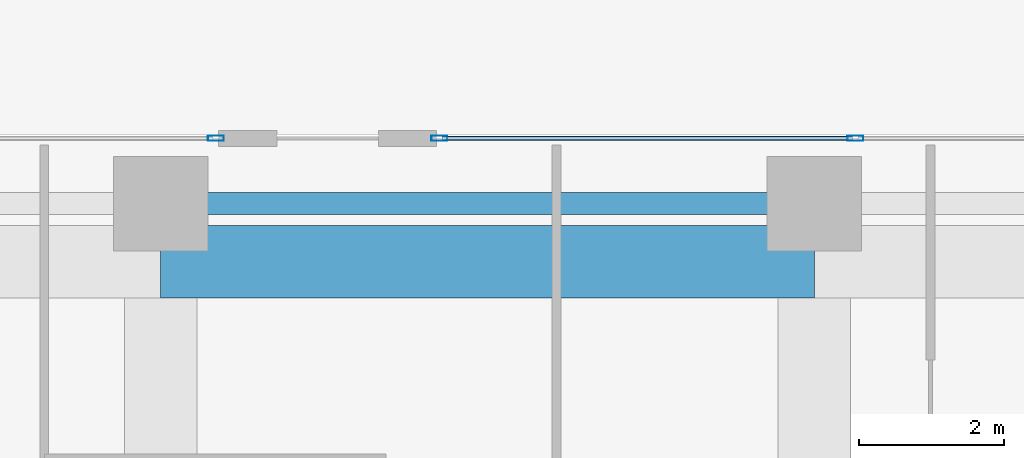
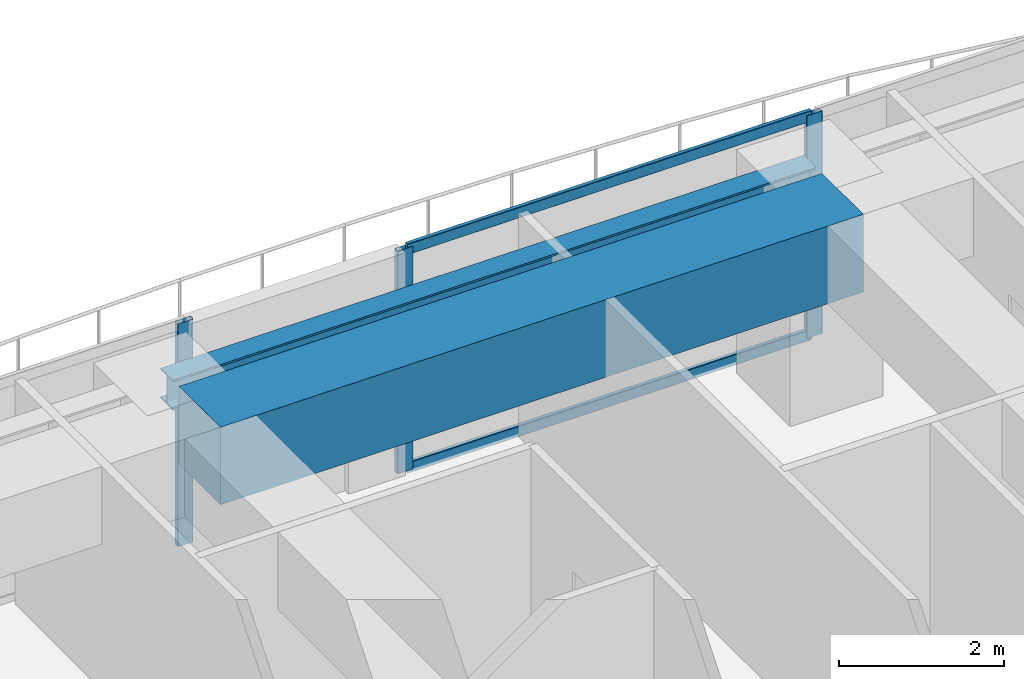
# One storey, part 18 of 32: 5 members, 2 beams, 2 elements without a shape of their own.
"""IFC4 building model written with IfcOpenShell, lengths in metres."""

from ifc_helpers import new_model, si_unit, direction, frame, origin, origin_2d, place, context, subcontext, project, spatial, rectangle, hollow_rectangle, i_section, extrude, source, transform, mapped, material, layer, layer_set, material_profile, profile_set, type_object, element, aggregate, save


model = new_model("IFC4")

# Units and contexts
model_context = context("Model", 3, precision=1e-05, world=origin(), true_north=direction((0.0, 1.0)))
body_context = subcontext(model_context, "Body", "Model", "MODEL_VIEW")
ifc_project = project(units=[si_unit("LENGTHUNIT", "METRE"), si_unit("AREAUNIT", "SQUARE_METRE"), si_unit("VOLUMEUNIT", "CUBIC_METRE"), si_unit("PLANEANGLEUNIT", "RADIAN"), si_unit("MASSUNIT", "GRAM", prefix="KILO")], contexts=[model_context])

# Site, building, storey
site_placement = place(None, origin())
site = spatial("IfcSite", under=ifc_project, at=site_placement, CompositionType="ELEMENT")
building_placement = place(site_placement, origin())
building = spatial("IfcBuilding", under=site, at=building_placement, Name="Serunith Strait Residences", CompositionType="ELEMENT")
storey_placement = place(building_placement, frame((0.0, 0.0, 195.14990234375)))
storey = spatial("IfcBuildingStorey", under=building, at=storey_placement, Name="L49", CompositionType="ELEMENT", Elevation=195.14990234375)

# Beams
ifc_material_1 = material(Name="Steel S355J2", Category="steel")
ifc_material_profile_1 = material_profile(ifc_material_1, i_section(OverallWidth=0.300048828125, OverallDepth=0.449951171875, WebThickness=0.013916015625, FlangeThickness=0.02587890625, FilletRadius=0.027099609375, at=origin_2d()), Name="HEB 450")
ifc_profile_set_1 = profile_set([ifc_material_profile_1], Name="Steel S355J2")
beam_type_1 = type_object("IfcBeamType", Name="BM-HEB450", PredefinedType="BEAM", material=ifc_profile_set_1)
shared_shape_1 = source(origin(), body_context, "Body", "SweptSolid", [
    extrude(i_section(OverallWidth=0.300048828125, OverallDepth=0.449951171875, WebThickness=0.013916015625, FlangeThickness=0.02587890625, FilletRadius=0.027099609375, at=origin_2d()), origin(), (0.0, 0.0, 1.0), 9.0),
])
beam_1_placement = place(storey_placement, frame((36.89990234375, 48.10009765625, 3.08203125), z_axis=(-1.0, 0.0, 0.0), x_axis=(0.0, -1.0, 0.0)))
element("IfcBeam", 1, at=beam_1_placement, inside=storey, type_object=beam_type_1, Name="L49 Perimeter Ring Beam 10", PredefinedType="BEAM", context=body_context, shape_type="MappedRepresentation", body=[
    mapped(shared_shape_1, transform((0.0, 0.0, 0.0), scale=1.0)),
])
ifc_material_2 = material(Name="Concrete C80/95", Category="concrete")
ifc_material_profile_2 = material_profile(ifc_material_2, rectangle(XDim=1.0, YDim=1.14990234375, at=origin_2d()), Name="RC 1000x1150")
ifc_profile_set_2 = profile_set([ifc_material_profile_2], Name="Concrete C80/95")
beam_type_2 = type_object("IfcBeamType", Name="BM-XFER-1000x1150", PredefinedType="BEAM", material=ifc_profile_set_2)
shared_shape_2 = source(origin(), body_context, "Body", "SweptSolid", [
    extrude(rectangle(XDim=1.0, YDim=1.14990234375, at=origin_2d()), origin(), (0.0, 0.0, 1.0), 9.0),
])
beam_2_placement = place(storey_placement, frame((36.89990234375, 47.300048828125, 2.735107421875), z_axis=(-1.0, 0.0, 0.0), x_axis=(0.0, -1.0, 0.0)))
element("IfcBeam", 2, at=beam_2_placement, inside=storey, type_object=beam_type_2, Name="L49 Flare Upper Ring Transfer Girder 10", PredefinedType="BEAM", context=body_context, shape_type="MappedRepresentation", body=[
    mapped(shared_shape_2, transform((0.0, 0.0, 0.0), scale=1.0)),
])

# Curtain wall, members
ifc_material_3 = material(Name="Pale-Silver PVDF Aluminium", Category="aluminium")
ifc_layer = layer(ifc_material_3, 0.199951171875, Name="Pale-Silver PVDF Aluminium")
ifc_layer_set = layer_set([ifc_layer], Name="Pale-Silver PVDF Aluminium")
curtain_wall_type = type_object("IfcCurtainWallType", Name="CW-SYS3", PredefinedType="NOTDEFINED", material=ifc_layer_set)
curtain_wall_1_placement = place(storey_placement, origin())
curtain_wall_1 = element("IfcCurtainWall", 3, at=curtain_wall_1_placement, inside=storey, type_object=curtain_wall_type, Name="L49 N Unitised Fritted Curtain Wall", PredefinedType="NOTDEFINED")
ifc_material_profile_3 = material_profile(ifc_material_3, hollow_rectangle(XDim=0.074951171875, YDim=0.219970703125, WallThickness=0.00390625, InnerFilletRadius=0.006103515625, OuterFilletRadius=0.010009765625, at=origin_2d()), Name="ALU 220x75x4")
ifc_profile_set_3 = profile_set([ifc_material_profile_3], Name="Pale-Silver PVDF Aluminium")
member_type_1 = type_object("IfcMemberType", Name="CW-SYS3-MULL", PredefinedType="MULLION", material=ifc_profile_set_3)
shared_shape_3 = source(origin(), body_context, "Body", "SweptSolid", [
    extrude(hollow_rectangle(XDim=0.074951171875, YDim=0.219970703125, WallThickness=0.00390625, InnerFilletRadius=0.006103515625, OuterFilletRadius=0.010009765625, at=origin_2d()), origin(), (0.0, 0.0, 1.0), 3.295166015625),
])
member_1_placement = place(storey_placement, frame((37.466552734375, 49.0, 0.0), z_axis=(0.0, 0.0, 1.0), x_axis=(0.0, -1.0, 0.0)))
member_1 = element("IfcMember", 4, at=member_1_placement, type_object=member_type_1, Name="CW-3 mullion 3", PredefinedType="MULLION", context=body_context, shape_type="MappedRepresentation", body=[
    mapped(shared_shape_3, transform((0.0, 0.0, 0.0), scale=1.0)),
])
member_2_placement = place(storey_placement, frame((31.737548828125, 49.0, 0.0), z_axis=(0.0, 0.0, 1.0), x_axis=(0.0, -1.0, 0.0)))
member_2 = element("IfcMember", 5, at=member_2_placement, type_object=member_type_1, Name="CW-3 mullion 4", PredefinedType="MULLION", context=body_context, shape_type="MappedRepresentation", body=[
    mapped(shared_shape_3, transform((0.0, 0.0, 0.0), scale=1.0)),
])

# Curtain wall, member
curtain_wall_2_placement = place(storey_placement, origin())
curtain_wall_2 = element("IfcCurtainWall", 6, at=curtain_wall_2_placement, inside=storey, type_object=curtain_wall_type, Name="L49 N Unitised Fritted Curtain Wall", PredefinedType="NOTDEFINED")
member_3_placement = place(storey_placement, frame((28.66259765625, 49.0, 0.0), z_axis=(0.0, 0.0, 1.0), x_axis=(0.0, -1.0, 0.0)))
member_3 = element("IfcMember", 7, at=member_3_placement, type_object=member_type_1, Name="CW-3 mullion 1", PredefinedType="MULLION", context=body_context, shape_type="MappedRepresentation", body=[
    mapped(shared_shape_3, transform((0.0, 0.0, 0.0), scale=1.0)),
])
aggregate(curtain_wall_2, [member_3])

# Member
ifc_material_profile_4 = material_profile(ifc_material_3, hollow_rectangle(XDim=0.06005859375, YDim=0.159912109375, WallThickness=0.00341796875, InnerFilletRadius=0.00537109375, OuterFilletRadius=0.0087890625, at=origin_2d()), Name="ALU 160x60x3.5")
ifc_profile_set_4 = profile_set([ifc_material_profile_4], Name="Pale-Silver PVDF Aluminium")
member_type_2 = type_object("IfcMemberType", Name="CW-SYS3-TRAN", PredefinedType="USERDEFINED", material=ifc_profile_set_4)
shared_shape_4 = source(origin(), body_context, "Body", "SweptSolid", [
    extrude(hollow_rectangle(XDim=0.06005859375, YDim=0.159912109375, WallThickness=0.00341796875, InnerFilletRadius=0.00537109375, OuterFilletRadius=0.0087890625, at=origin_2d()), origin(), (0.0, 0.0, 1.0), 5.654296875),
])
member_4_placement = place(storey_placement, frame((37.42919921875, 49.0, 0.030029296875), z_axis=(-1.0, 0.0, 0.0), x_axis=(0.0, -1.0, 0.0)))
member_4 = element("IfcMember", 8, at=member_4_placement, type_object=member_type_2, Name="CW-3 transom 3.1", ObjectType="TRANSOM", PredefinedType="USERDEFINED", context=body_context, shape_type="MappedRepresentation", body=[
    mapped(shared_shape_4, transform((0.0, 0.0, 0.0), scale=1.0)),
])

member_5_placement = place(storey_placement, frame((37.42919921875, 49.0, 3.26513671875), z_axis=(-1.0, 0.0, 0.0), x_axis=(0.0, -1.0, 0.0)))
member_5 = element("IfcMember", 9, at=member_5_placement, type_object=member_type_2, Name="CW-3 transom 3.2", ObjectType="TRANSOM", PredefinedType="USERDEFINED", context=body_context, shape_type="MappedRepresentation", body=[
    mapped(shared_shape_4, transform((0.0, 0.0, 0.0), scale=1.0)),
])

aggregate(curtain_wall_1, [member_1, member_2, member_4, member_5])

save(model, "model.ifc")
